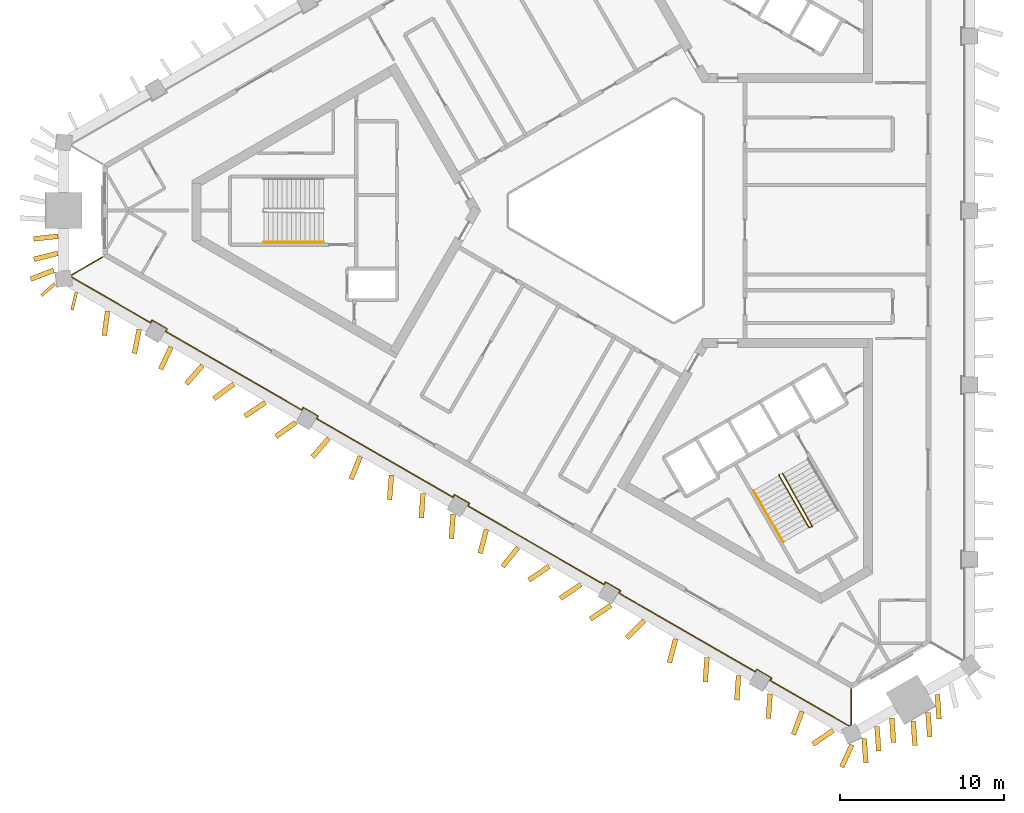
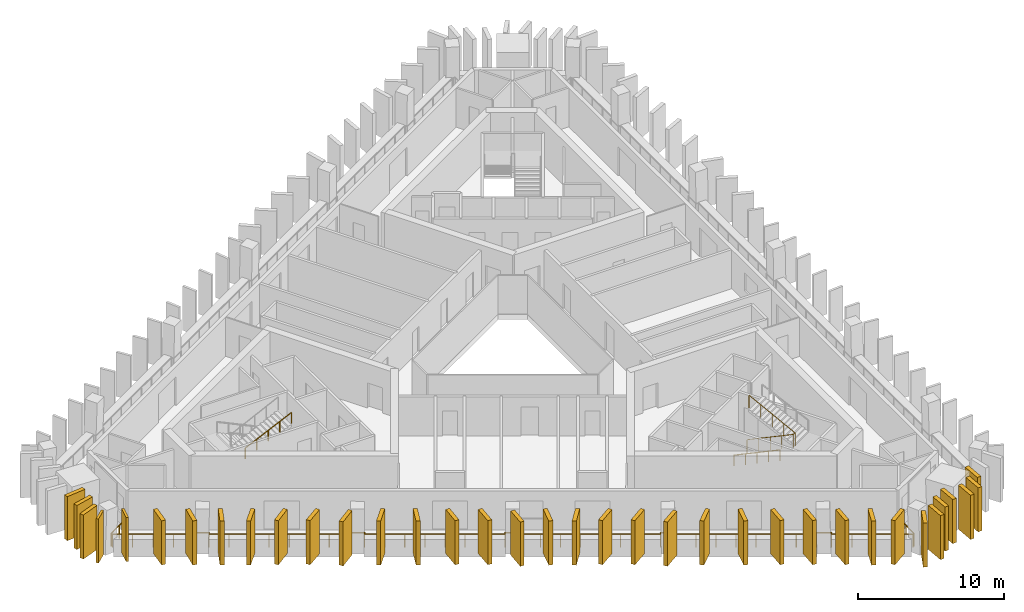
# One storey, part 7 of 9: 36 shading devices, 4 railings.
"""IFC4 building model written with IfcOpenShell, lengths in metres."""

from ifc_helpers import new_model, si_unit, direction, frame, frame_2d, origin, origin_2d, place, context, subcontext, project, spatial, rectangle, circle, extrude, material, layer, layer_set, type_object, element, save


model = new_model("IFC4")

# Units and contexts
model_context = context("Model", 3, precision=1e-05, world=origin(), true_north=direction((0.0, 1.0)))
body_context = subcontext(model_context, "Body", "Model", "MODEL_VIEW")
ifc_project = project(units=[si_unit("LENGTHUNIT", "METRE"), si_unit("AREAUNIT", "SQUARE_METRE"), si_unit("VOLUMEUNIT", "CUBIC_METRE"), si_unit("PLANEANGLEUNIT", "RADIAN"), si_unit("MASSUNIT", "GRAM", prefix="KILO")], contexts=[model_context])

# Site, building, storey
site_placement = place(None, origin())
site = spatial("IfcSite", under=ifc_project, at=site_placement, CompositionType="ELEMENT")
building_placement = place(site_placement, origin())
building = spatial("IfcBuilding", under=site, at=building_placement, Name="Jabali Bay Hotel Tower and Convention Centre", CompositionType="ELEMENT")
storey_placement = place(building_placement, frame((0.0, 0.0, 189.60009765625)))
storey = spatial("IfcBuildingStorey", under=building, at=storey_placement, Name="L46", CompositionType="ELEMENT", Elevation=189.60009765625)

# Railing
ifc_material_1 = material(Name="Glass", Category="glass")
railing_type_1 = type_object("IfcRailingType", Name="Loggia glass guard 1100", PredefinedType="BALUSTRADE", material=ifc_material_1)
railing_1_placement = place(storey_placement, frame((88.57080078125, 50.82861328125, 0.0)))
element("IfcRailing", 1, at=railing_1_placement, inside=storey, type_object=railing_type_1, Name="Loggia glass guard L46", PredefinedType="BALUSTRADE", context=body_context, shape_type="SweptSolid", body=[
    extrude(circle(Radius=0.02490234375, at=origin_2d()), frame((0.0, 0.0, 1.0751953125), z_axis=(0.0, -1.0, 0.0), x_axis=(0.991444861374, 0.0, 0.13052619222)), (0.0, 0.0, 1.0), 2.193115234375),
    extrude(circle(Radius=0.02490234375, at=origin_2d()), frame((0.0, -2.193115234375, 1.0751953125), z_axis=(-0.920243719744, -0.391345750291, 0.0), x_axis=(0.387997733147, -0.912370907152, 0.13052619222)), (0.0, 0.0, 1.0), 0.1259765625),
    extrude(circle(Radius=0.02490234375, at=origin_2d()), frame((-0.115966796875, -2.242431640625, 1.0751953125), z_axis=(-0.866026124785, 0.499998751188, 0.0), x_axis=(-0.495721192559, -0.858617151234, 0.13052619222)), (0.0, 0.0, 1.0), 5.55810546875),
    extrude(circle(Radius=0.02490234375, at=origin_2d()), frame((-4.929443359375, 0.53662109375, 1.0751953125), z_axis=(0.499440622861, 0.866348119543, 0.0), x_axis=(-0.858936391282, 0.495167839097, 0.13052619222)), (0.0, 0.0, 1.0), 0.175048828125),
    extrude(circle(Radius=0.02490234375, at=origin_2d()), frame((-4.842041015625, 0.688232421875, 1.0751953125), z_axis=(-0.866088799389, 0.499890179513, 0.0), x_axis=(-0.495613549729, -0.858679289647, 0.13052619222)), (0.0, 0.0, 1.0), 1.050048828125),
    extrude(circle(Radius=0.02490234375, at=origin_2d()), frame((-5.75146484375, 1.213134765625, 1.0751953125), z_axis=(-0.499440622861, -0.866348119543, 0.0), x_axis=(0.858936391282, -0.495167839097, 0.13052619222)), (0.0, 0.0, 1.0), 0.175048828125),
    extrude(circle(Radius=0.02490234375, at=origin_2d()), frame((-5.8388671875, 1.0615234375, 1.0751953125), z_axis=(-0.866028270559, 0.499995034568, 0.0), x_axis=(-0.495717507735, -0.85861927865, 0.13052619222)), (0.0, 0.0, 1.0), 9.587890625),
    extrude(circle(Radius=0.02490234375, at=origin_2d()), frame((-14.142333984375, 5.85546875, 1.0751953125), z_axis=(0.500486622847, 0.865744269604, 0.0), x_axis=(-0.858337707362, 0.496204890408, 0.13052619222)), (0.0, 0.0, 1.0), 0.175048828125),
    extrude(circle(Radius=0.02490234375, at=origin_2d()), frame((-14.0546875, 6.007080078125, 1.0751953125), z_axis=(-0.865988129768, 0.500064554934, 0.0), x_axis=(-0.495786433345, -0.858579481269, 0.13052619222)), (0.0, 0.0, 1.0), 1.050048828125),
    extrude(circle(Radius=0.02490234375, at=origin_2d()), frame((-14.964111328125, 6.5322265625, 1.0751953125), z_axis=(-0.499440622861, -0.866348119543, 0.0), x_axis=(0.858936391282, -0.495167839097, 0.13052619222)), (0.0, 0.0, 1.0), 0.175048828125),
    extrude(circle(Radius=0.02490234375, at=origin_2d()), frame((-15.051513671875, 6.380615234375, 1.0751953125), z_axis=(-0.866028270559, 0.499995034568, 0.0), x_axis=(-0.495717507735, -0.85861927865, 0.13052619222)), (0.0, 0.0, 1.0), 9.587890625),
    extrude(circle(Radius=0.02490234375, at=origin_2d()), frame((-23.35498046875, 11.174560546875, 1.0751953125), z_axis=(0.499440622861, 0.866348119543, 0.0), x_axis=(-0.858936391282, 0.495167839097, 0.13052619222)), (0.0, 0.0, 1.0), 0.175048828125),
    extrude(circle(Radius=0.02490234375, at=origin_2d()), frame((-23.267578125, 11.326171875, 1.0751953125), z_axis=(-0.866088799389, 0.499890179513, 0.0), x_axis=(-0.495613549729, -0.858679289647, 0.13052619222)), (0.0, 0.0, 1.0), 1.050048828125),
    extrude(circle(Radius=0.02490234375, at=origin_2d()), frame((-24.177001953125, 11.85107421875, 1.0751953125), z_axis=(-0.499440622861, -0.866348119543, 0.0), x_axis=(0.858936391282, -0.495167839097, 0.13052619222)), (0.0, 0.0, 1.0), 0.175048828125),
    extrude(circle(Radius=0.02490234375, at=origin_2d()), frame((-24.264404296875, 11.699462890625, 1.0751953125), z_axis=(-0.866017244681, 0.500014131716, 0.0), x_axis=(-0.495736441504, -0.8586083471, 0.13052619222)), (0.0, 0.0, 1.0), 9.588134765625),
    extrude(circle(Radius=0.02490234375, at=origin_2d()), frame((-32.56787109375, 16.49365234375, 1.0751953125), z_axis=(0.501091290591, 0.865394429433, 0.0), x_axis=(-0.857990860123, 0.496804385136, 0.13052619222)), (0.0, 0.0, 1.0), 0.1748046875),
    extrude(circle(Radius=0.02490234375, at=origin_2d()), frame((-32.480224609375, 16.64501953125, 1.0751953125), z_axis=(-0.865988129768, 0.500064554934, 0.0), x_axis=(-0.495786433345, -0.858579481269, 0.13052619222)), (0.0, 0.0, 1.0), 1.050048828125),
    extrude(circle(Radius=0.02490234375, at=origin_2d()), frame((-33.3896484375, 17.170166015625, 1.0751953125), z_axis=(-0.499440622861, -0.866348119543, 0.0), x_axis=(0.858936391282, -0.495167839097, 0.13052619222)), (0.0, 0.0, 1.0), 0.175048828125),
    extrude(circle(Radius=0.02490234375, at=origin_2d()), frame((-33.47705078125, 17.0185546875, 1.0751953125), z_axis=(-0.866028270559, 0.499995034568, 0.0), x_axis=(-0.495717507735, -0.85861927865, 0.13052619222)), (0.0, 0.0, 1.0), 9.587890625),
    extrude(circle(Radius=0.02490234375, at=origin_2d()), frame((-41.780517578125, 21.8125, 1.0751953125), z_axis=(0.499440622861, 0.866348119543, 0.0), x_axis=(-0.858936391282, 0.495167839097, 0.13052619222)), (0.0, 0.0, 1.0), 0.175048828125),
    extrude(circle(Radius=0.02490234375, at=origin_2d()), frame((-41.693115234375, 21.964111328125, 1.0751953125), z_axis=(-0.866030680601, 0.499990860175, 0.0), x_axis=(-0.495713369054, -0.858621668074, 0.13052619222)), (0.0, 0.0, 1.0), 1.0498046875),
    extrude(circle(Radius=0.02490234375, at=origin_2d()), frame((-42.602294921875, 22.489013671875, 1.0751953125), z_axis=(-0.500486622847, -0.865744269604, 0.0), x_axis=(0.858337707362, -0.496204890408, 0.13052619222)), (0.0, 0.0, 1.0), 0.175048828125),
    extrude(circle(Radius=0.02490234375, at=origin_2d()), frame((-42.68994140625, 22.33740234375, 1.0751953125), z_axis=(-0.866007104507, 0.500031693939, 0.0), x_axis=(-0.49575385348, -0.858598293676, 0.13052619222)), (0.0, 0.0, 1.0), 5.558349609375),
    extrude(circle(Radius=0.02490234375, at=origin_2d()), frame((-47.50341796875, 25.11669921875, 1.0751953125), z_axis=(-0.119984594018, 0.992775753732, 0.0), x_axis=(-0.984282419534, -0.118958109183, 0.13052619222)), (0.0, 0.0, 1.0), 0.126220703125),
    extrude(circle(Radius=0.02490234375, at=origin_2d()), frame((-47.5185546875, 25.241943359375, 1.0751953125), z_axis=(0.866035418383, 0.499982653806, 0.0), x_axis=(-0.495705232892, 0.858626365323, 0.13052619222)), (0.0, 0.0, 1.0), 2.19287109375),
    extrude(circle(Radius=0.02001953125, at=origin_2d()), origin(), (0.0, 0.0, 1.0), 1.050048828125),
    extrude(circle(Radius=0.02001953125, at=origin_2d()), frame((0.0, -1.0966796875, 0.0)), (0.0, 0.0, 1.0), 1.050048828125),
    extrude(circle(Radius=0.02001953125, at=origin_2d()), frame((0.0, -2.193115234375, 0.0)), (0.0, 0.0, 1.0), 1.050048828125),
    extrude(circle(Radius=0.02001953125, at=origin_2d()), frame((-0.115966796875, -2.242431640625, 0.0)), (0.0, 0.0, 1.0), 1.050048828125),
    extrude(circle(Radius=0.02001953125, at=origin_2d()), frame((-1.3193359375, -1.547607421875, 0.0)), (0.0, 0.0, 1.0), 1.050048828125),
    extrude(circle(Radius=0.02001953125, at=origin_2d()), frame((-2.522705078125, -0.85302734375, 0.0)), (0.0, 0.0, 1.0), 1.050048828125),
    extrude(circle(Radius=0.02001953125, at=origin_2d()), frame((-3.72607421875, -0.158203125, 0.0)), (0.0, 0.0, 1.0), 1.050048828125),
    extrude(circle(Radius=0.02001953125, at=origin_2d()), frame((-4.929443359375, 0.53662109375, 0.0)), (0.0, 0.0, 1.0), 1.050048828125),
    extrude(circle(Radius=0.02001953125, at=origin_2d()), frame((-4.842041015625, 0.688232421875, 0.0)), (0.0, 0.0, 1.0), 1.050048828125),
    extrude(circle(Radius=0.02001953125, at=origin_2d()), frame((-5.75146484375, 1.213134765625, 0.0)), (0.0, 0.0, 1.0), 1.050048828125),
    extrude(circle(Radius=0.02001953125, at=origin_2d()), frame((-5.8388671875, 1.0615234375, 0.0)), (0.0, 0.0, 1.0), 1.050048828125),
    extrude(circle(Radius=0.02001953125, at=origin_2d()), frame((-7.025146484375, 1.746337890625, 0.0)), (0.0, 0.0, 1.0), 1.050048828125),
    extrude(circle(Radius=0.02001953125, at=origin_2d()), frame((-8.211181640625, 2.43115234375, 0.0)), (0.0, 0.0, 1.0), 1.050048828125),
    extrude(circle(Radius=0.02001953125, at=origin_2d()), frame((-9.3974609375, 3.115966796875, 0.0)), (0.0, 0.0, 1.0), 1.050048828125),
    extrude(circle(Radius=0.02001953125, at=origin_2d()), frame((-10.583740234375, 3.801025390625, 0.0)), (0.0, 0.0, 1.0), 1.050048828125),
    extrude(circle(Radius=0.02001953125, at=origin_2d()), frame((-11.77001953125, 4.48583984375, 0.0)), (0.0, 0.0, 1.0), 1.050048828125),
    extrude(circle(Radius=0.02001953125, at=origin_2d()), frame((-12.9560546875, 5.170654296875, 0.0)), (0.0, 0.0, 1.0), 1.050048828125),
    extrude(circle(Radius=0.02001953125, at=origin_2d()), frame((-14.142333984375, 5.85546875, 0.0)), (0.0, 0.0, 1.0), 1.050048828125),
    extrude(circle(Radius=0.02001953125, at=origin_2d()), frame((-14.0546875, 6.007080078125, 0.0)), (0.0, 0.0, 1.0), 1.050048828125),
    extrude(circle(Radius=0.02001953125, at=origin_2d()), frame((-14.964111328125, 6.5322265625, 0.0)), (0.0, 0.0, 1.0), 1.050048828125),
    extrude(circle(Radius=0.02001953125, at=origin_2d()), frame((-15.051513671875, 6.380615234375, 0.0)), (0.0, 0.0, 1.0), 1.050048828125),
    extrude(circle(Radius=0.02001953125, at=origin_2d()), frame((-16.23779296875, 7.0654296875, 0.0)), (0.0, 0.0, 1.0), 1.050048828125),
    extrude(circle(Radius=0.02001953125, at=origin_2d()), frame((-17.423828125, 7.750244140625, 0.0)), (0.0, 0.0, 1.0), 1.050048828125),
    extrude(circle(Radius=0.02001953125, at=origin_2d()), frame((-18.610107421875, 8.43505859375, 0.0)), (0.0, 0.0, 1.0), 1.050048828125),
    extrude(circle(Radius=0.02001953125, at=origin_2d()), frame((-19.79638671875, 9.1201171875, 0.0)), (0.0, 0.0, 1.0), 1.050048828125),
    extrude(circle(Radius=0.02001953125, at=origin_2d()), frame((-20.982666015625, 9.804931640625, 0.0)), (0.0, 0.0, 1.0), 1.050048828125),
    extrude(circle(Radius=0.02001953125, at=origin_2d()), frame((-22.168701171875, 10.48974609375, 0.0)), (0.0, 0.0, 1.0), 1.050048828125),
    extrude(circle(Radius=0.02001953125, at=origin_2d()), frame((-23.35498046875, 11.174560546875, 0.0)), (0.0, 0.0, 1.0), 1.050048828125),
    extrude(circle(Radius=0.02001953125, at=origin_2d()), frame((-23.267578125, 11.326171875, 0.0)), (0.0, 0.0, 1.0), 1.050048828125),
    extrude(circle(Radius=0.02001953125, at=origin_2d()), frame((-24.177001953125, 11.85107421875, 0.0)), (0.0, 0.0, 1.0), 1.050048828125),
    extrude(circle(Radius=0.02001953125, at=origin_2d()), frame((-24.264404296875, 11.699462890625, 0.0)), (0.0, 0.0, 1.0), 1.050048828125),
    extrude(circle(Radius=0.02001953125, at=origin_2d()), frame((-25.45068359375, 12.38427734375, 0.0)), (0.0, 0.0, 1.0), 1.050048828125),
    extrude(circle(Radius=0.02001953125, at=origin_2d()), frame((-26.63671875, 13.0693359375, 0.0)), (0.0, 0.0, 1.0), 1.050048828125),
    extrude(circle(Radius=0.02001953125, at=origin_2d()), frame((-27.822998046875, 13.754150390625, 0.0)), (0.0, 0.0, 1.0), 1.050048828125),
    extrude(circle(Radius=0.02001953125, at=origin_2d()), frame((-29.00927734375, 14.43896484375, 0.0)), (0.0, 0.0, 1.0), 1.050048828125),
    extrude(circle(Radius=0.02001953125, at=origin_2d()), frame((-30.195556640625, 15.123779296875, 0.0)), (0.0, 0.0, 1.0), 1.050048828125),
    extrude(circle(Radius=0.02001953125, at=origin_2d()), frame((-31.381591796875, 15.808837890625, 0.0)), (0.0, 0.0, 1.0), 1.050048828125),
    extrude(circle(Radius=0.02001953125, at=origin_2d()), frame((-32.56787109375, 16.49365234375, 0.0)), (0.0, 0.0, 1.0), 1.050048828125),
    extrude(circle(Radius=0.02001953125, at=origin_2d()), frame((-32.480224609375, 16.64501953125, 0.0)), (0.0, 0.0, 1.0), 1.050048828125),
    extrude(circle(Radius=0.02001953125, at=origin_2d()), frame((-33.3896484375, 17.170166015625, 0.0)), (0.0, 0.0, 1.0), 1.050048828125),
    extrude(circle(Radius=0.02001953125, at=origin_2d()), frame((-33.47705078125, 17.0185546875, 0.0)), (0.0, 0.0, 1.0), 1.050048828125),
    extrude(circle(Radius=0.02001953125, at=origin_2d()), frame((-34.663330078125, 17.703369140625, 0.0)), (0.0, 0.0, 1.0), 1.050048828125),
    extrude(circle(Radius=0.02001953125, at=origin_2d()), frame((-35.849365234375, 18.38818359375, 0.0)), (0.0, 0.0, 1.0), 1.050048828125),
    extrude(circle(Radius=0.02001953125, at=origin_2d()), frame((-37.03564453125, 19.072998046875, 0.0)), (0.0, 0.0, 1.0), 1.050048828125),
    extrude(circle(Radius=0.02001953125, at=origin_2d()), frame((-38.221923828125, 19.758056640625, 0.0)), (0.0, 0.0, 1.0), 1.050048828125),
    extrude(circle(Radius=0.02001953125, at=origin_2d()), frame((-39.408203125, 20.44287109375, 0.0)), (0.0, 0.0, 1.0), 1.050048828125),
    extrude(circle(Radius=0.02001953125, at=origin_2d()), frame((-40.59423828125, 21.127685546875, 0.0)), (0.0, 0.0, 1.0), 1.050048828125),
    extrude(circle(Radius=0.02001953125, at=origin_2d()), frame((-41.780517578125, 21.8125, 0.0)), (0.0, 0.0, 1.0), 1.050048828125),
    extrude(circle(Radius=0.02001953125, at=origin_2d()), frame((-41.693115234375, 21.964111328125, 0.0)), (0.0, 0.0, 1.0), 1.050048828125),
    extrude(circle(Radius=0.02001953125, at=origin_2d()), frame((-42.602294921875, 22.489013671875, 0.0)), (0.0, 0.0, 1.0), 1.050048828125),
    extrude(circle(Radius=0.02001953125, at=origin_2d()), frame((-42.68994140625, 22.33740234375, 0.0)), (0.0, 0.0, 1.0), 1.050048828125),
    extrude(circle(Radius=0.02001953125, at=origin_2d()), frame((-43.893310546875, 23.0322265625, 0.0)), (0.0, 0.0, 1.0), 1.050048828125),
    extrude(circle(Radius=0.02001953125, at=origin_2d()), frame((-45.0966796875, 23.72705078125, 0.0)), (0.0, 0.0, 1.0), 1.050048828125),
    extrude(circle(Radius=0.02001953125, at=origin_2d()), frame((-46.300048828125, 24.421875, 0.0)), (0.0, 0.0, 1.0), 1.050048828125),
    extrude(circle(Radius=0.02001953125, at=origin_2d()), frame((-47.50341796875, 25.11669921875, 0.0)), (0.0, 0.0, 1.0), 1.050048828125),
    extrude(circle(Radius=0.02001953125, at=origin_2d()), frame((-47.5185546875, 25.241943359375, 0.0)), (0.0, 0.0, 1.0), 1.050048828125),
    extrude(circle(Radius=0.02001953125, at=origin_2d()), frame((-46.56884765625, 25.7900390625, 0.0)), (0.0, 0.0, 1.0), 1.050048828125),
    extrude(circle(Radius=0.02001953125, at=origin_2d()), frame((-45.619384765625, 26.33837890625, 0.0)), (0.0, 0.0, 1.0), 1.050048828125),
])

# Shading devices
ifc_material_2 = material(Name="Precast concrete C60", Category="concrete")
ifc_layer_1 = layer(ifc_material_2, 0.179931640625)
ifc_layer_set_1 = layer_set([ifc_layer_1], Name="Precast concrete C60")
shading_device_type_1 = type_object("IfcShadingDeviceType", Name="Precast fin 3680 x 1100", PredefinedType="USERDEFINED", material=ifc_layer_set_1)
for number, where, z_axis, x_axis, name in (
    (2, (41.35400390625, 75.009033203125, 0.010009765625), (0.0, 0.0, 1.0), (-0.239714430497, -0.970843443513, 0.0), "Fin L46 066"),
    (3, (40.05615234375, 75.55322265625, 0.010009765625), (0.0, 0.0, 1.0), (-0.74864483313, -0.662971276774, 0.0), "Fin L46 103"),
):
    element("IfcShadingDevice", number, at=place(storey_placement, frame(where, z_axis=z_axis, x_axis=x_axis)), inside=storey, type_object=shading_device_type_1, Name=name, ObjectType="FIN", PredefinedType="USERDEFINED", context=body_context, shape_type="SweptSolid", body=[
        extrude(rectangle(XDim=1.099853515625, YDim=0.179931640625, at=frame_2d((0.5498046875, 0.0))), origin(), (0.0, 0.0, 1.0), 3.679931640625),
    ])
ifc_layer_2 = layer(ifc_material_2, 0.300048828125)
ifc_layer_set_2 = layer_set([ifc_layer_2], Name="Precast concrete C60")
shading_device_type_2 = type_object("IfcShadingDeviceType", Name="Precast fin 3680 x 1500", PredefinedType="USERDEFINED", material=ifc_layer_set_2)
for number, where, z_axis, x_axis, name in (
    (4, (40.248046875, 78.439697265625, 0.010009765625), (0.0, 0.0, 1.0), (-0.993982577941, -0.109538279835, 0.0), "Fin L46 063"),
    (5, (40.2275390625, 77.3994140625, 0.010009765625), (0.0, 0.0, 1.0), (-0.969080193123, -0.246745981319, 0.0), "Fin L46 064"),
):
    element("IfcShadingDevice", number, at=place(storey_placement, frame(where, z_axis=z_axis, x_axis=x_axis)), inside=storey, type_object=shading_device_type_2, Name=name, ObjectType="FIN", PredefinedType="USERDEFINED", context=body_context, shape_type="SweptSolid", body=[
        extrude(rectangle(XDim=1.5, YDim=0.300048828125, at=frame_2d((0.75, 0.0))), origin(), (0.0, 0.0, 1.0), 3.679931640625),
    ])
shading_device_1_placement = place(storey_placement, frame((39.973876953125, 76.359130859375, 0.010009765625), z_axis=(0.0, 0.0, 1.0), x_axis=(-0.934327794636, -0.356414887694, 0.0)))
element("IfcShadingDevice", 6, at=shading_device_1_placement, inside=storey, type_object=shading_device_type_2, Name="Fin L46 065", ObjectType="FIN", PredefinedType="USERDEFINED", context=body_context, shape_type="SweptSolid", body=[
    extrude(rectangle(XDim=1.500244140625, YDim=0.300048828125, at=frame_2d((0.75, 0.0))), origin(), (0.0, 0.0, 1.0), 3.679931640625),
])
for number, where, z_axis, x_axis, name in (
    (7, (43.260986328125, 73.87158203125, 0.010009765625), (0.0, 0.0, 1.0), (-0.135745084122, -0.990743797425, 0.0), "Fin L46 067"),
    (8, (45.18798828125, 72.76904296875, 0.010009765625), (0.0, 0.0, 1.0), (-0.196929827223, -0.980417586108, 0.0), "Fin L46 068"),
    (9, (47.128662109375, 71.689697265625, 0.010009765625), (0.0, 0.0, 1.0), (-0.426588531608, -0.904445810815, 0.0), "Fin L46 069"),
    (10, (49.04296875, 70.56494140625, 0.010009765625), (0.0, 0.0, 1.0), (-0.659195718475, -0.751971412186, 0.0), "Fin L46 070"),
):
    element("IfcShadingDevice", number, at=place(storey_placement, frame(where, z_axis=z_axis, x_axis=x_axis)), inside=storey, type_object=shading_device_type_2, Name=name, ObjectType="FIN", PredefinedType="USERDEFINED", context=body_context, shape_type="SweptSolid", body=[
        extrude(rectangle(XDim=1.5, YDim=0.300048828125, at=frame_2d((0.75, 0.0))), origin(), (0.0, 0.0, 1.0), 3.679931640625),
    ])
shading_device_2_placement = place(storey_placement, frame((50.949951171875, 69.427490234375, 0.010009765625), z_axis=(0.0, 0.0, 1.0), x_axis=(-0.807707145212, -0.589583893583, 0.0)))
element("IfcShadingDevice", 11, at=shading_device_2_placement, inside=storey, type_object=shading_device_type_2, Name="Fin L46 071", ObjectType="FIN", PredefinedType="USERDEFINED", context=body_context, shape_type="SweptSolid", body=[
    extrude(rectangle(XDim=1.499755859375, YDim=0.300048828125, at=frame_2d((0.75, 0.0))), origin(), (0.0, 0.0, 1.0), 3.679931640625),
])
shading_device_3_placement = place(storey_placement, frame((52.870361328125, 68.313232421875, 0.010009765625), z_axis=(0.0, 0.0, 1.0), x_axis=(-0.828578765843, -0.559872511196, 0.0)))
element("IfcShadingDevice", 12, at=shading_device_3_placement, inside=storey, type_object=shading_device_type_2, Name="Fin L46 072", ObjectType="FIN", PredefinedType="USERDEFINED", context=body_context, shape_type="SweptSolid", body=[
    extrude(rectangle(XDim=1.5, YDim=0.300048828125, at=frame_2d((0.75, 0.0))), origin(), (0.0, 0.0, 1.0), 3.679931640625),
])
shading_device_4_placement = place(storey_placement, frame((54.732177734375, 67.097412109375, 0.010009765625), z_axis=(0.0, 0.0, 1.0), x_axis=(-0.813084175427, -0.582146136009, 0.0)))
element("IfcShadingDevice", 13, at=shading_device_4_placement, inside=storey, type_object=shading_device_type_2, Name="Fin L46 073", ObjectType="FIN", PredefinedType="USERDEFINED", context=body_context, shape_type="SweptSolid", body=[
    extrude(rectangle(XDim=1.500244140625, YDim=0.300048828125, at=frame_2d((0.75, 0.0))), origin(), (0.0, 0.0, 1.0), 3.679931640625),
])
for number, where, z_axis, x_axis, name in (
    (14, (56.734619140625, 66.125244140625, 0.010009765625), (0.0, 0.0, 1.0), (-0.654323049322, -0.756215146057, 0.0), "Fin L46 074"),
    (15, (58.661376953125, 65.022216796875, 0.010009765625), (0.0, 0.0, 1.0), (-0.378423692957, -0.925632491116, 0.0), "Fin L46 075"),
    (16, (60.5625, 63.874267578125, 0.010009765625), (0.0, 0.0, 1.0), (-0.083826752216, -0.996480343817, 0.0), "Fin L46 076"),
    (17, (62.484375, 62.7626953125, 0.010009765625), (0.0, 0.0, 1.0), (-0.070634034433, -0.997502297331, 0.0), "Fin L46 077"),
):
    element("IfcShadingDevice", number, at=place(storey_placement, frame(where, z_axis=z_axis, x_axis=x_axis)), inside=storey, type_object=shading_device_type_2, Name=name, ObjectType="FIN", PredefinedType="USERDEFINED", context=body_context, shape_type="SweptSolid", body=[
        extrude(rectangle(XDim=1.5, YDim=0.300048828125, at=frame_2d((0.75, 0.0))), origin(), (0.0, 0.0, 1.0), 3.679931640625),
    ])
shading_device_5_placement = place(storey_placement, frame((64.31591796875, 61.494384765625, 0.010009765625), z_axis=(0.0, 0.0, 1.0), x_axis=(-0.070645503354, -0.99750148514, 0.0)))
element("IfcShadingDevice", 18, at=shading_device_5_placement, inside=storey, type_object=shading_device_type_2, Name="Fin L46 078", ObjectType="FIN", PredefinedType="USERDEFINED", context=body_context, shape_type="SweptSolid", body=[
    extrude(rectangle(XDim=1.499755859375, YDim=0.300048828125, at=frame_2d((0.75, 0.0))), origin(), (0.0, 0.0, 1.0), 3.679931640625),
])
for number, where, z_axis, x_axis, name in (
    (19, (66.343017578125, 60.5654296875, 0.010009765625), (0.0, 0.0, 1.0), (-0.256983894894, -0.966415685802, 0.0), "Fin L46 079"),
    (20, (68.27392578125, 59.468994140625, 0.010009765625), (0.0, 0.0, 1.0), (-0.627905136483, -0.778289881457, 0.0), "Fin L46 080"),
):
    element("IfcShadingDevice", number, at=place(storey_placement, frame(where, z_axis=z_axis, x_axis=x_axis)), inside=storey, type_object=shading_device_type_2, Name=name, ObjectType="FIN", PredefinedType="USERDEFINED", context=body_context, shape_type="SweptSolid", body=[
        extrude(rectangle(XDim=1.5, YDim=0.300048828125, at=frame_2d((0.75, 0.0))), origin(), (0.0, 0.0, 1.0), 3.679931640625),
    ])
shading_device_6_placement = place(storey_placement, frame((70.17529296875, 58.322021484375, 0.010009765625), z_axis=(0.0, 0.0, 1.0), x_axis=(-0.828603255445, -0.559836266301, 0.0)))
element("IfcShadingDevice", 21, at=shading_device_6_placement, inside=storey, type_object=shading_device_type_2, Name="Fin L46 081", ObjectType="FIN", PredefinedType="USERDEFINED", context=body_context, shape_type="SweptSolid", body=[
    extrude(rectangle(XDim=1.499755859375, YDim=0.300048828125, at=frame_2d((0.75, 0.0))), origin(), (0.0, 0.0, 1.0), 3.679931640625),
])
for number, where, z_axis, x_axis, name in (
    (22, (72.09814453125, 57.2119140625, 0.010009765625), (0.0, 0.0, 1.0), (-0.828654266351, -0.55976075859, 0.0), "Fin L46 082"),
    (23, (73.9296875, 55.94384765625, 0.010009765625), (0.0, 0.0, 1.0), (-0.828578765843, -0.559872511196, 0.0), "Fin L46 083"),
    (24, (75.95703125, 55.0146484375, 0.010009765625), (0.0, 0.0, 1.0), (-0.708488877281, -0.70572197838, 0.0), "Fin L46 084"),
    (25, (77.879638671875, 53.904296875, 0.010009765625), (0.0, 0.0, 1.0), (-0.253892418662, -0.967232464171, 0.0), "Fin L46 085"),
):
    element("IfcShadingDevice", number, at=place(storey_placement, frame(where, z_axis=z_axis, x_axis=x_axis)), inside=storey, type_object=shading_device_type_2, Name=name, ObjectType="FIN", PredefinedType="USERDEFINED", context=body_context, shape_type="SweptSolid", body=[
        extrude(rectangle(XDim=1.5, YDim=0.300048828125, at=frame_2d((0.75, 0.0))), origin(), (0.0, 0.0, 1.0), 3.679931640625),
    ])
for number, where, z_axis, x_axis, name in (
    (26, (79.789306640625, 52.771484375, 0.010009765625), (0.0, 0.0, 1.0), (-0.070645503354, -0.99750148514, 0.0), "Fin L46 086"),
    (27, (81.712158203125, 51.661376953125, 0.010009765625), (0.0, 0.0, 1.0), (-0.070807465827, -0.997490001345, 0.0), "Fin L46 087"),
):
    element("IfcShadingDevice", number, at=place(storey_placement, frame(where, z_axis=z_axis, x_axis=x_axis)), inside=storey, type_object=shading_device_type_2, Name=name, ObjectType="FIN", PredefinedType="USERDEFINED", context=body_context, shape_type="SweptSolid", body=[
        extrude(rectangle(XDim=1.499755859375, YDim=0.300048828125, at=frame_2d((0.75, 0.0))), origin(), (0.0, 0.0, 1.0), 3.679931640625),
    ])
for number, where, z_axis, x_axis, name in (
    (28, (83.635009765625, 50.55126953125, 0.010009765625), (0.0, 0.0, 1.0), (-0.071293319595, -0.99745539378, 0.0), "Fin L46 088"),
    (29, (85.577880859375, 49.476318359375, 0.010009765625), (0.0, 0.0, 1.0), (-0.347982194879, -0.937501142424, 0.0), "Fin L46 089"),
):
    element("IfcShadingDevice", number, at=place(storey_placement, frame(where, z_axis=z_axis, x_axis=x_axis)), inside=storey, type_object=shading_device_type_2, Name=name, ObjectType="FIN", PredefinedType="USERDEFINED", context=body_context, shape_type="SweptSolid", body=[
        extrude(rectangle(XDim=1.5, YDim=0.300048828125, at=frame_2d((0.75, 0.0))), origin(), (0.0, 0.0, 1.0), 3.679931640625),
    ])
shading_device_7_placement = place(storey_placement, frame((87.481201171875, 48.33251953125, 0.010009765625), z_axis=(0.0, 0.0, 1.0), x_axis=(-0.822028109916, -0.569446912809, 0.0)))
element("IfcShadingDevice", 30, at=shading_device_7_placement, inside=storey, type_object=shading_device_type_2, Name="Fin L46 090", ObjectType="FIN", PredefinedType="USERDEFINED", context=body_context, shape_type="SweptSolid", body=[
    extrude(rectangle(XDim=1.500244140625, YDim=0.300048828125, at=frame_2d((0.75, 0.0))), origin(), (0.0, 0.0, 1.0), 3.679931640625),
])
for number, where, z_axis, x_axis, name in (
    (31, (89.366455078125, 47.8349609375, 0.010009765625), (0.0, 0.0, 1.0), (0.070472092405, -0.99751375138, 0.0), "Fin L46 091"),
    (32, (90.1484375, 48.56103515625, 0.010009765625), (0.0, 0.0, 1.0), (0.070472092405, -0.99751375138, 0.0), "Fin L46 092"),
    (33, (91.04931640625, 49.081298828125, 0.010009765625), (0.0, 0.0, 1.0), (0.070472092405, -0.99751375138, 0.0), "Fin L46 093"),
    (34, (92.3564453125, 48.897705078125, 0.010009765625), (0.0, 0.0, 1.0), (0.070472092405, -0.99751375138, 0.0), "Fin L46 094"),
    (35, (93.25732421875, 49.417724609375, 0.010009765625), (0.0, 0.0, 1.0), (0.070472092405, -0.99751375138, 0.0), "Fin L46 095"),
    (36, (93.82373046875, 50.51708984375, 0.010009765625), (0.0, 0.0, 1.0), (0.070634034433, -0.997502297331, 0.0), "Fin L46 096"),
    (37, (88.620849609375, 47.44921875, 0.010009765625), (0.0, 0.0, 1.0), (-0.416682733255, -0.909051978606, 0.0), "Fin L46 104"),
):
    element("IfcShadingDevice", number, at=place(storey_placement, frame(where, z_axis=z_axis, x_axis=x_axis)), inside=storey, type_object=shading_device_type_2, Name=name, ObjectType="FIN", PredefinedType="USERDEFINED", context=body_context, shape_type="SweptSolid", body=[
        extrude(rectangle(XDim=1.5, YDim=0.300048828125, at=frame_2d((0.75, 0.0))), origin(), (0.0, 0.0, 1.0), 3.679931640625),
    ])

# Railings
ifc_material_3 = material(Name="Steel Q355B", Category="steel")
railing_type_2 = type_object("IfcRailingType", Name="Stair guard 1100", PredefinedType="GUARDRAIL", material=ifc_material_3)
railing_2_placement = place(storey_placement, frame((84.199951171875, 63.9150390625, 0.0)))
element("IfcRailing", 38, at=railing_2_placement, inside=storey, type_object=railing_type_2, Name="L46 ST3 stair guard 1", PredefinedType="GUARDRAIL", context=body_context, shape_type="SweptSolid", body=[
    extrude(circle(Radius=0.02392578125, at=origin_2d()), frame((0.0, 0.0, 1.076171875), z_axis=(-0.122196845461, -0.456201556387, 0.881446578591), x_axis=(0.965948051503, -0.258736085224, 0.0)), (0.0, 0.0, 1.0), 0.14990234375),
    extrude(circle(Radius=0.02392578125, at=origin_2d()), frame((-0.018310546875, -0.068359375, 1.2080078125), z_axis=(0.452190331055, -0.783190014029, 0.426775475427), x_axis=(0.866018046521, 0.500012742938, 0.0)), (0.0, 0.0, 1.0), 4.02490234375),
    extrude(circle(Radius=0.02392578125, at=origin_2d()), frame((1.8017578125, -3.220703125, 2.92578125), z_axis=(0.96121063429, 0.275815366736, 0.0), x_axis=(-0.275815366736, 0.96121063429, 0.0)), (0.0, 0.0, 1.0), 0.206298828125),
    extrude(circle(Radius=0.02392578125, at=origin_2d()), frame((2.0, -3.163818359375, 2.92578125), z_axis=(-0.436470229993, 0.780146179382, 0.448180406895), x_axis=(-0.872702246529, -0.488252792008, 0.0)), (0.0, 0.0, 1.0), 4.1279296875),
    extrude(circle(Radius=0.02099609375, at=origin_2d()), origin(), (0.0, 0.0, 1.0), 1.052001953125),
    extrude(circle(Radius=0.02099609375, at=origin_2d()), frame((-0.018310546875, -0.068359375, 0.132080078125)), (0.0, 0.0, 1.0), 1.052001953125),
    extrude(circle(Radius=0.02099609375, at=origin_2d()), frame((0.436767578125, -0.8564453125, 0.5615234375)), (0.0, 0.0, 1.0), 1.052001953125),
    extrude(circle(Radius=0.02099609375, at=origin_2d()), frame((0.8916015625, -1.64453125, 0.990966796875)), (0.0, 0.0, 1.0), 1.052001953125),
    extrude(circle(Radius=0.02099609375, at=origin_2d()), frame((1.3466796875, -2.4326171875, 1.42041015625)), (0.0, 0.0, 1.0), 1.052001953125),
    extrude(circle(Radius=0.02099609375, at=origin_2d()), frame((1.8017578125, -3.220703125, 1.849853515625)), (0.0, 0.0, 1.0), 1.052001953125),
    extrude(circle(Radius=0.02099609375, at=origin_2d()), frame((2.0, -3.163818359375, 1.849853515625)), (0.0, 0.0, 1.0), 1.052001953125),
    extrude(circle(Radius=0.02099609375, at=origin_2d()), frame((1.549560546875, -2.358642578125, 2.3125)), (0.0, 0.0, 1.0), 1.052001953125),
    extrude(circle(Radius=0.02099609375, at=origin_2d()), frame((1.09912109375, -1.5537109375, 2.77490234375)), (0.0, 0.0, 1.0), 1.052001953125),
    extrude(circle(Radius=0.02099609375, at=origin_2d()), frame((0.648681640625, -0.74853515625, 3.2373046875)), (0.0, 0.0, 1.0), 1.052001953125),
    extrude(circle(Radius=0.02099609375, at=origin_2d()), frame((0.1982421875, 0.056640625, 3.699951171875)), (0.0, 0.0, 1.0), 1.052001953125),
])
railing_type_3 = type_object("IfcRailingType", Name="Stair handrail 900", PredefinedType="HANDRAIL", material=ifc_material_3)
railing_3_placement = place(storey_placement, frame((52.780029296875, 78.074951171875, 1.98193359375)))
element("IfcRailing", 39, at=railing_3_placement, inside=storey, type_object=railing_type_3, Name="L46 ST1 stair handrail 2", PredefinedType="HANDRAIL", context=body_context, shape_type="SweptSolid", body=[
    extrude(circle(Radius=0.02392578125, at=origin_2d()), frame((0.0, 0.0, 0.8759765625), z_axis=(0.904327350853, 0.0, 0.426839598092), x_axis=(0.0, 1.0, 0.0)), (0.0, 0.0, 1.0), 4.02490234375),
    extrude(circle(Radius=0.02099609375, at=origin_2d()), origin(), (0.0, 0.0, 1.0), 0.851806640625),
    extrude(circle(Radius=0.02099609375, at=origin_2d()), frame((0.909912109375, 0.0, 0.429443359375)), (0.0, 0.0, 1.0), 0.851806640625),
    extrude(circle(Radius=0.02099609375, at=origin_2d()), frame((1.81982421875, 0.0, 0.85888671875)), (0.0, 0.0, 1.0), 0.851806640625),
    extrude(circle(Radius=0.02099609375, at=origin_2d()), frame((2.72998046875, 0.0, 1.28857421875)), (0.0, 0.0, 1.0), 0.851806640625),
    extrude(circle(Radius=0.02099609375, at=origin_2d()), frame((3.639892578125, 0.0, 1.718017578125)), (0.0, 0.0, 1.0), 0.851806640625),
])
railing_4_placement = place(storey_placement, frame((82.622802734375, 62.94677734375, 0.132080078125)))
element("IfcRailing", 40, at=railing_4_placement, inside=storey, type_object=railing_type_3, Name="L46 ST3 stair handrail 1", PredefinedType="HANDRAIL", context=body_context, shape_type="SweptSolid", body=[
    extrude(circle(Radius=0.02392578125, at=origin_2d()), frame((0.0, 0.0, 0.8759765625), z_axis=(0.452190331055, -0.783190014029, 0.426775475427), x_axis=(0.866018046521, 0.500012742938, 0.0)), (0.0, 0.0, 1.0), 4.02490234375),
    extrude(circle(Radius=0.02099609375, at=origin_2d()), origin(), (0.0, 0.0, 1.0), 0.851806640625),
    extrude(circle(Radius=0.02099609375, at=origin_2d()), frame((0.455078125, -0.7880859375, 0.429443359375)), (0.0, 0.0, 1.0), 0.851806640625),
    extrude(circle(Radius=0.02099609375, at=origin_2d()), frame((0.91015625, -1.576171875, 0.85888671875)), (0.0, 0.0, 1.0), 0.851806640625),
    extrude(circle(Radius=0.02099609375, at=origin_2d()), frame((1.364990234375, -2.3642578125, 1.288330078125)), (0.0, 0.0, 1.0), 0.851806640625),
    extrude(circle(Radius=0.02099609375, at=origin_2d()), frame((1.820068359375, -3.15234375, 1.7177734375)), (0.0, 0.0, 1.0), 0.851806640625),
])

save(model, "model.ifc")
